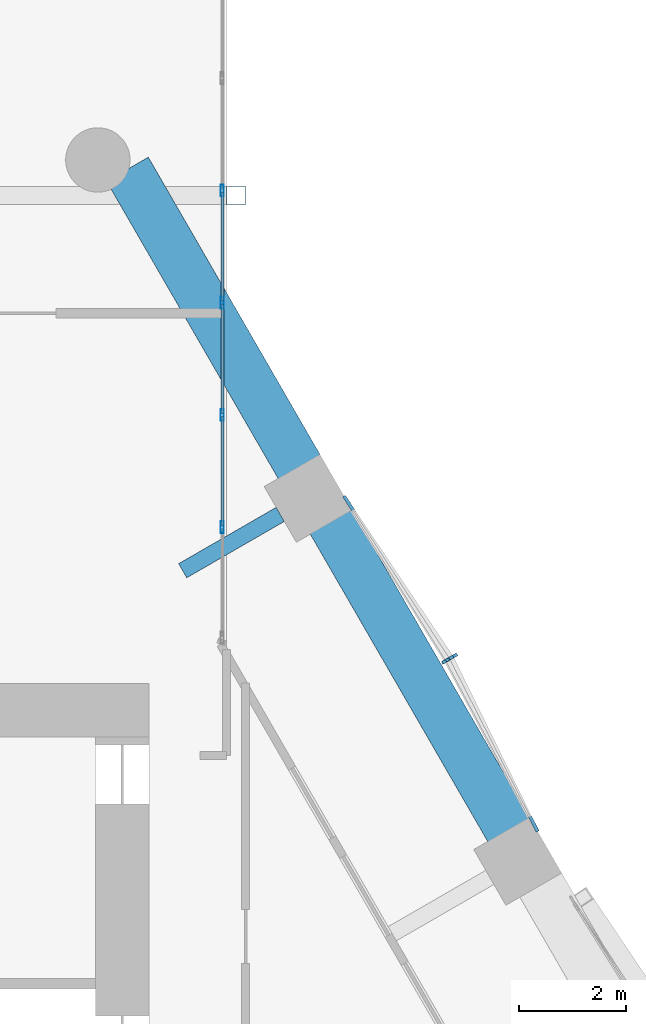
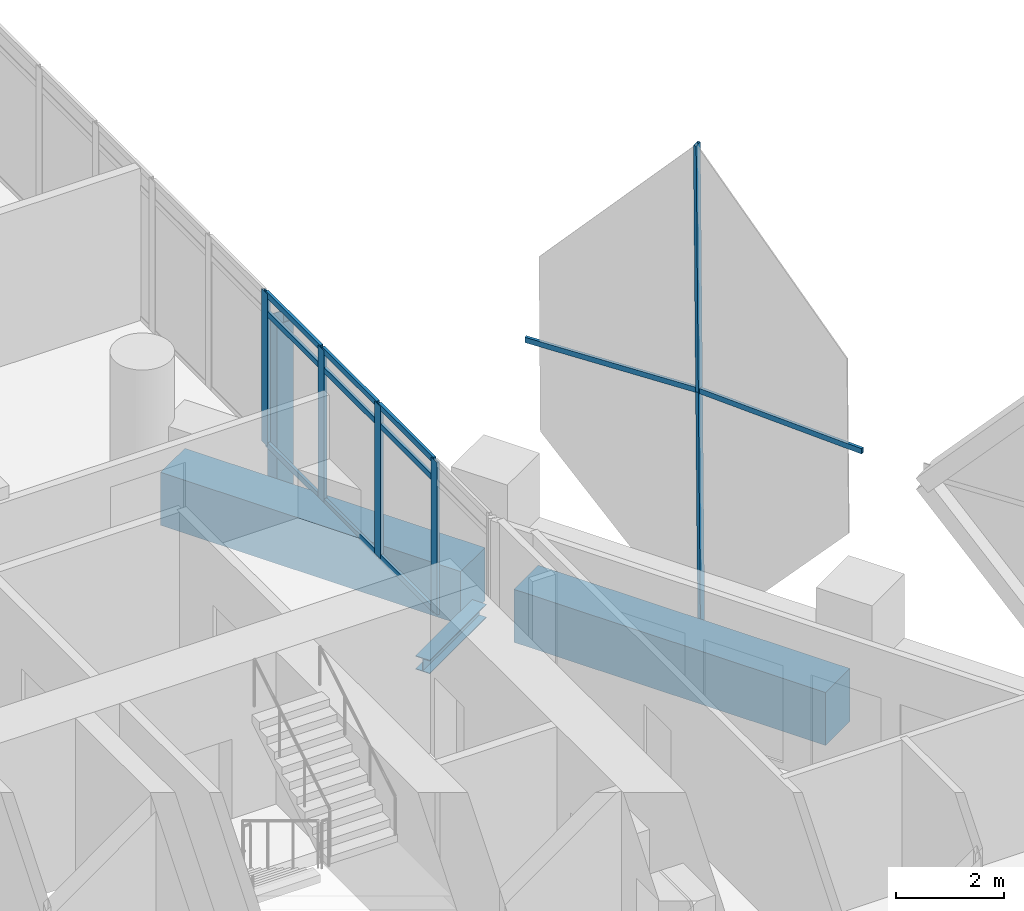
# One storey, part 24 of 38: 18 members, 3 beams, 3 elements without a shape of their own.
"""IFC4 building model written with IfcOpenShell, lengths in metres."""

import ifcopenshell
import ifcopenshell.guid

model = None  # the IFC model being written
_history = None  # IfcOwnerHistory: only IFC2X3 demands one
_inside = {}  # id of a spatial element -> (the spatial element, [elements in it])
_under = {}  # id of a project, library or spatial element -> (it, [spatial elements below it])
_declared = {}  # id of a project -> (the project, [libraries it declares])
_typed = {}  # id of a type object -> (the type object, [elements of that type])
_made_of = {}  # id of a material, layer set ... -> (it, [elements and type objects made of it])


def new_model(schema):
    """Start an empty IFC model of exactly this schema.

    Asked for "IFC4X3", IfcOpenShell would pick the latest addendum, in which some entities
    have other attributes; the version numbers below select the first issue.
    IFC2X3 requires an IfcOwnerHistory on every rooted entity: one is made here for all.
    """
    global model, _history
    if schema == "IFC4X3":
        model = ifcopenshell.file(schema_version=(4, 3, 0, 0))
    else:
        model = ifcopenshell.file(schema=schema)
    _inside.clear()
    _under.clear()
    _declared.clear()
    _typed.clear()
    _made_of.clear()
    _history = None
    if model.schema == "IFC2X3":
        org = make("IfcOrganization", Name="unknown")
        user = make(
            "IfcPersonAndOrganization",
            ThePerson=make("IfcPerson", FamilyName="unknown"),
            TheOrganization=org,
        )
        app = make(
            "IfcApplication",
            ApplicationDeveloper=org,
            Version="unknown",
            ApplicationFullName="unknown",
            ApplicationIdentifier="unknown",
        )
        _history = make(
            "IfcOwnerHistory",
            OwningUser=user,
            OwningApplication=app,
            ChangeAction="ADDED",
            CreationDate=0,
        )
    return model


def make(cls, **values):
    """One entity of the class cls with the attributes given. An attribute that is None is left unset."""
    return model.create_entity(
        cls, **{name: value for name, value in values.items() if value is not None}
    )


def rooted(cls, **values):
    """An entity with a GlobalId (a new one), such as an element, a storey or a relation."""
    return make(cls, GlobalId=ifcopenshell.guid.new(), OwnerHistory=_history, **values)


def si_unit(unit_type, name, prefix=None):
    """IfcSIUnit, for example si_unit("LENGTHUNIT", "METRE", prefix="MILLI")."""
    return make("IfcSIUnit", UnitType=unit_type, Prefix=prefix, Name=name)


def assignment(units):
    """IfcUnitAssignment: the units of a project."""
    return None if units is None else make("IfcUnitAssignment", Units=units)


def point(xyz):
    """IfcCartesianPoint."""
    return None if xyz is None else make("IfcCartesianPoint", Coordinates=xyz)


def direction(xyz):
    """IfcDirection."""
    return None if xyz is None else make("IfcDirection", DirectionRatios=xyz)


def frame(location, z_axis=None, x_axis=None):
    """IfcAxis2Placement3D, a coordinate frame: its origin and axes. An axis left out is left unset."""
    return make(
        "IfcAxis2Placement3D",
        Location=point(location),
        Axis=direction(z_axis),
        RefDirection=direction(x_axis),
    )


def frame_2d(location, x_axis=None):
    """IfcAxis2Placement2D, a coordinate frame in the plane: its origin and x axis."""
    return make(
        "IfcAxis2Placement2D", Location=point(location), RefDirection=direction(x_axis)
    )


def origin():
    """The frame at (0, 0, 0) with its axes left unset."""
    return frame((0.0, 0.0, 0.0))


def origin_2d():
    """The frame at (0, 0) in the plane with its x axis left unset."""
    return frame_2d((0.0, 0.0))


def place(relative_to, where):
    """IfcLocalPlacement: puts the frame where relative to a parent placement (None: the world)."""
    return make(
        "IfcLocalPlacement", PlacementRelTo=relative_to, RelativePlacement=where
    )


def context(
    kind, dimensions, precision=None, world=None, true_north=None, identifier=None
):
    """IfcGeometricRepresentationContext, for example the 3D "Model" context."""
    return make(
        "IfcGeometricRepresentationContext",
        ContextIdentifier=identifier,
        ContextType=kind,
        CoordinateSpaceDimension=dimensions,
        Precision=precision,
        WorldCoordinateSystem=world,
        TrueNorth=true_north,
    )


def subcontext(parent, identifier, kind, view, scale=None):
    """IfcGeometricRepresentationSubContext, for example "Body" below "Model"."""
    return make(
        "IfcGeometricRepresentationSubContext",
        ContextIdentifier=identifier,
        ContextType=kind,
        ParentContext=parent,
        TargetScale=scale,
        TargetView=view,
    )


def project(units=None, contexts=None):
    """IfcProject with its units and contexts."""
    return rooted(
        "IfcProject",
        Name="project",
        RepresentationContexts=contexts,
        UnitsInContext=assignment(units),
    )


def spatial(cls, under=None, at=None, **own):
    """A site, building, storey or space (cls), placed at a placement, below another one or the project."""
    s = rooted(cls, ObjectPlacement=at, **own)
    if under is not None:
        _under.setdefault(under.id(), (under, []))[1].append(s)
    return s


def profile(cls, at=None, kind="AREA", **sizes):
    """A parametric profile (cls). Its sizes go by their IFC names, for example OverallWidth=200.0."""
    return make(cls, ProfileType=kind, Position=at, **sizes)


def rectangle(**sizes):
    """IfcRectangleProfileDef."""
    return profile("IfcRectangleProfileDef", **sizes)


def hollow_rectangle(**sizes):
    """IfcRectangleHollowProfileDef."""
    return profile("IfcRectangleHollowProfileDef", **sizes)


def i_section(**sizes):
    """IfcIShapeProfileDef."""
    return profile("IfcIShapeProfileDef", **sizes)


def extrude(swept, where, along, depth):
    """IfcExtrudedAreaSolid: the profile swept, set in the frame where, extruded along a direction by depth."""
    return make(
        "IfcExtrudedAreaSolid",
        SweptArea=swept,
        Position=where,
        ExtrudedDirection=direction(along),
        Depth=depth,
    )


def shape(context_of_items, identifier, shape_type, items):
    """IfcShapeRepresentation: the items that make up one representation, for example the "Body"."""
    return make(
        "IfcShapeRepresentation",
        ContextOfItems=context_of_items,
        RepresentationIdentifier=identifier,
        RepresentationType=shape_type,
        Items=items,
    )


def material(Name=None, Category=None):
    """IfcMaterial."""
    return make("IfcMaterial", Name=Name, Category=Category)


def material_profile(
    of_material, cross_section, Name=None, Category=None, Priority=None
):
    """IfcMaterialProfile: a cross section and its material."""
    return make(
        "IfcMaterialProfile",
        Name=Name,
        Material=of_material,
        Profile=cross_section,
        Priority=Priority,
        Category=Category,
    )


def profile_set(profiles, Name=None, composite=None):
    """IfcMaterialProfileSet."""
    return make(
        "IfcMaterialProfileSet",
        Name=Name,
        MaterialProfiles=profiles,
        CompositeProfile=composite,
    )


def made_of(thing, what):
    """Note that an element or type object is made of a material, layer set ...; save() writes the relation."""
    if what is not None:
        _made_of.setdefault(what.id(), (what, []))[1].append(thing)
    return thing


def type_object(cls, material=None, **own):
    """A type object (cls), such as IfcWallType, which elements share."""
    return made_of(rooted(cls, **own), material)


def element(
    cls,
    number,
    at=None,
    inside=None,
    cuts=None,
    type_object=None,
    material=None,
    context=None,
    identifier="Body",
    shape_type=None,
    held_by="IfcProductDefinitionShape",
    body=None,
    shapes=None,
    **own,
):
    """One element of the class cls, such as IfcWall. Its Tag is "e" and its number.

    at: its placement. inside: the storey or other place that contains it. cuts: it is an
    opening in that element (IfcRelVoidsElement). A single representation is given by context,
    identifier, shape_type and body (its items); several are given by shapes. held_by: the class
    of the entity that holds the representations. save() writes the other relations.
    """
    e = rooted(cls, Tag="e%d" % number, ObjectPlacement=at, **own)
    if body is not None:
        shapes = [shape(context, identifier, shape_type, body)]
    if shapes is not None:
        e.Representation = make(held_by, Representations=shapes)
    if inside is not None:
        _inside.setdefault(inside.id(), (inside, []))[1].append(e)
    if cuts is not None:
        rooted(
            "IfcRelVoidsElement", RelatingBuildingElement=cuts, RelatedOpeningElement=e
        )
    if type_object is not None:
        _typed.setdefault(type_object.id(), (type_object, []))[1].append(e)
    return made_of(e, material)


def aggregate(whole, parts):
    """IfcRelAggregates: a whole, such as a stair, and the parts it consists of."""
    return rooted("IfcRelAggregates", RelatingObject=whole, RelatedObjects=parts)


def save(model, path):
    """Write the relations noted so far, then the file.

    IfcRelAggregates (storeys below a building ...), IfcRelContainedInSpatialStructure (elements
    in a storey), IfcRelDefinesByType, IfcRelAssociatesMaterial and IfcRelDeclares: one each for
    every whole, place, type object, material and project.
    """
    for whole, parts in _under.values():
        aggregate(whole, parts)
    for where, things in _inside.values():
        rooted(
            "IfcRelContainedInSpatialStructure",
            RelatedElements=things,
            RelatingStructure=where,
        )
    for kind, things in _typed.values():
        rooted("IfcRelDefinesByType", RelatedObjects=things, RelatingType=kind)
    for what, things in _made_of.values():
        rooted("IfcRelAssociatesMaterial", RelatedObjects=things, RelatingMaterial=what)
    for by, libraries in _declared.values():
        rooted("IfcRelDeclares", RelatingContext=by, RelatedDefinitions=libraries)
    model.write(path)


model = new_model("IFC4")

# Units and contexts
model_context = context("Model", 3, precision=1e-05, world=origin(), true_north=direction((0.0, 1.0)))
body_context = subcontext(model_context, "Body", "Model", "MODEL_VIEW")
ifc_project = project(units=[si_unit("LENGTHUNIT", "METRE"), si_unit("AREAUNIT", "SQUARE_METRE"), si_unit("VOLUMEUNIT", "CUBIC_METRE"), si_unit("PLANEANGLEUNIT", "RADIAN"), si_unit("MASSUNIT", "GRAM", prefix="KILO")], contexts=[model_context])

# Site, building, storey
site_placement = place(None, origin())
site = spatial("IfcSite", under=ifc_project, at=site_placement, CompositionType="ELEMENT")
building_placement = place(site_placement, origin())
building = spatial("IfcBuilding", under=site, at=building_placement, Name="Ostrander Bayou Hotel Tower", CompositionType="ELEMENT")
storey_placement = place(building_placement, frame((0.0, 0.0, 96.75)))
storey = spatial("IfcBuildingStorey", under=building, at=storey_placement, Name="L24", CompositionType="ELEMENT", Elevation=96.75)

# Curtain wall, members
ifc_material_1 = material(Name="Aluminium and clear glass", Category="aluminium")
curtain_wall_type_1 = type_object("IfcCurtainWallType", Name="CW-BAR glazed wall", PredefinedType="NOTDEFINED", material=ifc_material_1)
curtain_wall_1_placement = place(storey_placement, origin())
curtain_wall_1 = element("IfcCurtainWall", 1, at=curtain_wall_1_placement, inside=storey, type_object=curtain_wall_type_1, Name="CW-BAR L24:SB2N:W", PredefinedType="NOTDEFINED")
ifc_material_2 = material(Name="Aluminium", Category="aluminium")
ifc_material_profile_1 = material_profile(ifc_material_2, hollow_rectangle(XDim=0.06005859375, YDim=0.219970703125, WallThickness=0.00390625, at=origin_2d()))
ifc_profile_set_1 = profile_set([ifc_material_profile_1], Name="Aluminium")
member_type_1 = type_object("IfcMemberType", Name="CW-BR mullion 60 x 220 mm", PredefinedType="MULLION", material=ifc_profile_set_1)
member_1_placement = place(storey_placement, frame((13.3671875, 12.612548828125, 0.0), z_axis=(0.0, 0.0, 1.0), x_axis=(-1.0, 0.0, 0.0)))
member_1 = element("IfcMember", 2, at=member_1_placement, type_object=member_type_1, Name="CW-BAR mullion 2", PredefinedType="MULLION", context=body_context, shape_type="SweptSolid", body=[
    extrude(hollow_rectangle(XDim=0.06005859375, YDim=0.219970703125, WallThickness=0.00390625, at=origin_2d()), origin(), (0.0, 0.0, 1.0), 3.449951171875),
])
member_2_placement = place(storey_placement, frame((13.3671875, 14.705078125, 0.0), z_axis=(0.0, 0.0, 1.0), x_axis=(-1.0, 0.0, 0.0)))
member_2 = element("IfcMember", 3, at=member_2_placement, type_object=member_type_1, Name="CW-BAR mullion 3", PredefinedType="MULLION", context=body_context, shape_type="SweptSolid", body=[
    extrude(hollow_rectangle(XDim=0.06005859375, YDim=0.219970703125, WallThickness=0.00390625, at=origin_2d()), origin(), (0.0, 0.0, 1.0), 3.449951171875),
])
member_3_placement = place(storey_placement, frame((13.3671875, 16.797607421875, 0.0), z_axis=(0.0, 0.0, 1.0), x_axis=(-1.0, 0.0, 0.0)))
member_3 = element("IfcMember", 4, at=member_3_placement, type_object=member_type_1, Name="CW-BAR mullion 4", PredefinedType="MULLION", context=body_context, shape_type="SweptSolid", body=[
    extrude(hollow_rectangle(XDim=0.06005859375, YDim=0.219970703125, WallThickness=0.00390625, at=origin_2d()), origin(), (0.0, 0.0, 1.0), 3.449951171875),
])
member_4_placement = place(storey_placement, frame((13.3671875, 18.89013671875, 0.0), z_axis=(0.0, 0.0, 1.0), x_axis=(-1.0, 0.0, 0.0)))
member_4 = element("IfcMember", 5, at=member_4_placement, type_object=member_type_1, Name="CW-BAR mullion 5", PredefinedType="MULLION", context=body_context, shape_type="SweptSolid", body=[
    extrude(hollow_rectangle(XDim=0.06005859375, YDim=0.219970703125, WallThickness=0.00390625, at=origin_2d()), origin(), (0.0, 0.0, 1.0), 3.449951171875),
])
ifc_material_3 = material(Name="Aluminium", Category="aluminium")
ifc_material_profile_2 = material_profile(ifc_material_3, hollow_rectangle(XDim=0.06005859375, YDim=0.1298828125, WallThickness=0.00390625, at=origin_2d()))
ifc_profile_set_2 = profile_set([ifc_material_profile_2], Name="Aluminium")
member_type_2 = type_object("IfcMemberType", Name="CW-BR transom 60 x 130 mm", PredefinedType="USERDEFINED", material=ifc_profile_set_2)
member_5_placement = place(storey_placement, frame((13.3671875, 12.642578125, 0.030029296875), z_axis=(0.0, 1.0, 0.0), x_axis=(-1.0, 0.0, 0.0)))
member_5 = element("IfcMember", 6, at=member_5_placement, type_object=member_type_2, Name="CW-BAR transom 2.1", ObjectType="TRANSOM", PredefinedType="USERDEFINED", context=body_context, shape_type="SweptSolid", body=[
    extrude(hollow_rectangle(XDim=0.06005859375, YDim=0.1298828125, WallThickness=0.00390625, at=origin_2d()), origin(), (0.0, 0.0, 1.0), 2.032470703125),
])
member_6_placement = place(storey_placement, frame((13.3671875, 12.642578125, 3.0), z_axis=(0.0, 1.0, 0.0), x_axis=(-1.0, 0.0, 0.0)))
member_6 = element("IfcMember", 7, at=member_6_placement, type_object=member_type_2, Name="CW-BAR transom 2.2", ObjectType="TRANSOM", PredefinedType="USERDEFINED", context=body_context, shape_type="SweptSolid", body=[
    extrude(hollow_rectangle(XDim=0.06005859375, YDim=0.1298828125, WallThickness=0.00390625, at=origin_2d()), origin(), (0.0, 0.0, 1.0), 2.032470703125),
])
member_7_placement = place(storey_placement, frame((13.3671875, 12.642578125, 3.419921875), z_axis=(0.0, 1.0, 0.0), x_axis=(-1.0, 0.0, 0.0)))
member_7 = element("IfcMember", 8, at=member_7_placement, type_object=member_type_2, Name="CW-BAR transom 2.3", ObjectType="TRANSOM", PredefinedType="USERDEFINED", context=body_context, shape_type="SweptSolid", body=[
    extrude(hollow_rectangle(XDim=0.06005859375, YDim=0.1298828125, WallThickness=0.00390625, at=origin_2d()), origin(), (0.0, 0.0, 1.0), 2.032470703125),
])
member_8_placement = place(storey_placement, frame((13.3671875, 14.735107421875, 0.030029296875), z_axis=(0.0, 1.0, 0.0), x_axis=(-1.0, 0.0, 0.0)))
member_8 = element("IfcMember", 9, at=member_8_placement, type_object=member_type_2, Name="CW-BAR transom 3.1", ObjectType="TRANSOM", PredefinedType="USERDEFINED", context=body_context, shape_type="SweptSolid", body=[
    extrude(hollow_rectangle(XDim=0.06005859375, YDim=0.1298828125, WallThickness=0.00390625, at=origin_2d()), origin(), (0.0, 0.0, 1.0), 2.032470703125),
])
member_9_placement = place(storey_placement, frame((13.3671875, 14.735107421875, 3.0), z_axis=(0.0, 1.0, 0.0), x_axis=(-1.0, 0.0, 0.0)))
member_9 = element("IfcMember", 10, at=member_9_placement, type_object=member_type_2, Name="CW-BAR transom 3.2", ObjectType="TRANSOM", PredefinedType="USERDEFINED", context=body_context, shape_type="SweptSolid", body=[
    extrude(hollow_rectangle(XDim=0.06005859375, YDim=0.1298828125, WallThickness=0.00390625, at=origin_2d()), origin(), (0.0, 0.0, 1.0), 2.032470703125),
])
member_10_placement = place(storey_placement, frame((13.3671875, 14.735107421875, 3.419921875), z_axis=(0.0, 1.0, 0.0), x_axis=(-1.0, 0.0, 0.0)))
member_10 = element("IfcMember", 11, at=member_10_placement, type_object=member_type_2, Name="CW-BAR transom 3.3", ObjectType="TRANSOM", PredefinedType="USERDEFINED", context=body_context, shape_type="SweptSolid", body=[
    extrude(hollow_rectangle(XDim=0.06005859375, YDim=0.1298828125, WallThickness=0.00390625, at=origin_2d()), origin(), (0.0, 0.0, 1.0), 2.032470703125),
])
member_11_placement = place(storey_placement, frame((13.3671875, 16.82763671875, 0.030029296875), z_axis=(0.0, 1.0, 0.0), x_axis=(-1.0, 0.0, 0.0)))
member_11 = element("IfcMember", 12, at=member_11_placement, type_object=member_type_2, Name="CW-BAR transom 4.1", ObjectType="TRANSOM", PredefinedType="USERDEFINED", context=body_context, shape_type="SweptSolid", body=[
    extrude(hollow_rectangle(XDim=0.06005859375, YDim=0.1298828125, WallThickness=0.00390625, at=origin_2d()), origin(), (0.0, 0.0, 1.0), 2.032470703125),
])
member_12_placement = place(storey_placement, frame((13.3671875, 16.82763671875, 3.0), z_axis=(0.0, 1.0, 0.0), x_axis=(-1.0, 0.0, 0.0)))
member_12 = element("IfcMember", 13, at=member_12_placement, type_object=member_type_2, Name="CW-BAR transom 4.2", ObjectType="TRANSOM", PredefinedType="USERDEFINED", context=body_context, shape_type="SweptSolid", body=[
    extrude(hollow_rectangle(XDim=0.06005859375, YDim=0.1298828125, WallThickness=0.00390625, at=origin_2d()), origin(), (0.0, 0.0, 1.0), 2.032470703125),
])
member_13_placement = place(storey_placement, frame((13.3671875, 16.82763671875, 3.419921875), z_axis=(0.0, 1.0, 0.0), x_axis=(-1.0, 0.0, 0.0)))
member_13 = element("IfcMember", 14, at=member_13_placement, type_object=member_type_2, Name="CW-BAR transom 4.3", ObjectType="TRANSOM", PredefinedType="USERDEFINED", context=body_context, shape_type="SweptSolid", body=[
    extrude(hollow_rectangle(XDim=0.06005859375, YDim=0.1298828125, WallThickness=0.00390625, at=origin_2d()), origin(), (0.0, 0.0, 1.0), 2.032470703125),
])
aggregate(curtain_wall_1, [member_1, member_2, member_3, member_4, member_5, member_6, member_7, member_8, member_9, member_10, member_11, member_12, member_13])

ifc_material_4 = material(Name="Aluminium and clear glass", Category="aluminium")
curtain_wall_type_2 = type_object("IfcCurtainWallType", Name="CW-LAT lattice glazing", PredefinedType="NOTDEFINED", material=ifc_material_4)
curtain_wall_2_placement = place(storey_placement, origin())
curtain_wall_2 = element("IfcCurtainWall", 15, at=curtain_wall_2_placement, inside=storey, type_object=curtain_wall_type_2, Name="CW-LAT L24 NE 1", PredefinedType="NOTDEFINED")
ifc_material_5 = material(Name="Aluminium", Category="aluminium")
ifc_material_profile_3 = material_profile(ifc_material_5, hollow_rectangle(XDim=0.06005859375, YDim=0.159912109375, WallThickness=0.00390625, at=origin_2d()))
ifc_profile_set_3 = profile_set([ifc_material_profile_3], Name="Aluminium")
member_type_3 = type_object("IfcMemberType", Name="CW-LA mullion 60 x 160 mm", PredefinedType="MULLION", material=ifc_profile_set_3)
member_14_placement = place(storey_placement, frame((17.67236328125, 10.203125, -0.60009765625), z_axis=(-0.012585478078, -0.007247499445, 0.999894534185), x_axis=(0.499032451057, -0.866583298242, 0.0)))
member_14 = element("IfcMember", 16, at=member_14_placement, type_object=member_type_3, Name="CW-LAT mullion 4", PredefinedType="MULLION", context=body_context, shape_type="SweptSolid", body=[
    extrude(hollow_rectangle(XDim=0.06005859375, YDim=0.159912109375, WallThickness=0.00390625, at=origin_2d()), origin(), (0.0, 0.0, 1.0), 5.62548828125),
])
member_15_placement = place(storey_placement, frame((17.6015625, 10.162353515625, 5.02490234375), z_axis=(-0.012585474108, -0.007290895345, 0.999894218748), x_axis=(0.501271486133, -0.865290065348, 0.0)))
member_15 = element("IfcMember", 17, at=member_15_placement, type_object=member_type_3, Name="CW-LAT mullion 5", PredefinedType="MULLION", context=body_context, shape_type="SweptSolid", body=[
    extrude(hollow_rectangle(XDim=0.06005859375, YDim=0.159912109375, WallThickness=0.00390625, at=origin_2d()), origin(), (0.0, 0.0, 1.0), 5.62548828125),
])
aggregate(curtain_wall_2, [member_14, member_15])

curtain_wall_3_placement = place(storey_placement, origin())
curtain_wall_3 = element("IfcCurtainWall", 18, at=curtain_wall_3_placement, inside=storey, type_object=curtain_wall_type_2, Name="CW-LAT L24 NE 2", PredefinedType="NOTDEFINED")
ifc_material_6 = material(Name="Aluminium", Category="aluminium")
ifc_material_profile_4 = material_profile(ifc_material_6, hollow_rectangle(XDim=0.06005859375, YDim=0.1201171875, WallThickness=0.00390625, at=origin_2d()))
ifc_profile_set_4 = profile_set([ifc_material_profile_4], Name="Aluminium")
member_type_4 = type_object("IfcMemberType", Name="CW-LA transom 60 x 120 mm", PredefinedType="USERDEFINED", material=ifc_profile_set_4)
member_16_placement = place(storey_placement, frame((17.6015625, 10.162353515625, 5.02490234375), z_axis=(0.45422635194, -0.890886312165, 0.0), x_axis=(0.890886312165, 0.45422635194, 0.0)))
member_16 = element("IfcMember", 19, at=member_16_placement, type_object=member_type_4, Name="CW-LAT transom 6", ObjectType="TRANSOM", PredefinedType="USERDEFINED", context=body_context, shape_type="SweptSolid", body=[
    extrude(hollow_rectangle(XDim=0.06005859375, YDim=0.1201171875, WallThickness=0.00390625, at=origin_2d()), origin(), (0.0, 0.0, 1.0), 3.613525390625),
])
member_17_placement = place(storey_placement, frame((17.6015625, 10.162353515625, 5.02490234375), z_axis=(-0.54442763221, 0.838807816658, 0.0), x_axis=(-0.838807816658, -0.54442763221, 0.0)))
member_17 = element("IfcMember", 20, at=member_17_placement, type_object=member_type_4, Name="CW-LAT transom 7", ObjectType="TRANSOM", PredefinedType="USERDEFINED", context=body_context, shape_type="SweptSolid", body=[
    extrude(hollow_rectangle(XDim=0.06005859375, YDim=0.1201171875, WallThickness=0.00390625, at=origin_2d()), origin(), (0.0, 0.0, 1.0), 3.612548828125),
])
aggregate(curtain_wall_3, [member_16, member_17])

# Beams
ifc_material_7 = material(Name="Steel ASTM A992", Category="steel")
ifc_material_profile_5 = material_profile(ifc_material_7, i_section(OverallWidth=0.3046875, OverallDepth=0.307861328125, WebThickness=0.010009765625, FlangeThickness=0.015380859375, at=origin_2d()))
ifc_profile_set_5 = profile_set([ifc_material_profile_5], Name="Steel ASTM A992")
beam_type_1 = type_object("IfcBeamType", Name="LB1 loggia bracket W12x65", PredefinedType="BEAM", material=ifc_profile_set_5)
beam_1_placement = place(storey_placement, frame((14.446044921875, 12.8515625, -0.453857421875), z_axis=(-0.866038466041, -0.499977374825, 0.0), x_axis=(0.499977374825, -0.866038466041, 0.0)))
element("IfcBeam", 21, at=beam_1_placement, inside=storey, type_object=beam_type_1, Name="LB1 L24 NE2", PredefinedType="BEAM", context=body_context, shape_type="SweptSolid", body=[
    extrude(i_section(OverallWidth=0.3046875, OverallDepth=0.307861328125, WebThickness=0.010009765625, FlangeThickness=0.015380859375, at=origin_2d()), origin(), (0.0, 0.0, 1.0), 2.10009765625),
])
ifc_material_8 = material(Name="Concrete f'c 70 MPa", Category="concrete")
ifc_material_profile_6 = material_profile(ifc_material_8, rectangle(XDim=0.89990234375, YDim=1.199951171875, at=origin_2d()))
ifc_profile_set_6 = profile_set([ifc_material_profile_6], Name="Concrete f'c 70 MPa")
beam_type_2 = type_object("IfcBeamType", Name="SP2 spandrel beam 900 x 1200 mm f'c 70 MPa", PredefinedType="SPANDREL", material=ifc_profile_set_6)
beam_2_placement = place(storey_placement, frame((18.71728515625, 6.95361328125, -0.60009765625), z_axis=(-0.499999023957, 0.866025967302, 0.0), x_axis=(-0.866025967302, -0.499999023957, 0.0)))
element("IfcBeam", 22, at=beam_2_placement, inside=storey, type_object=beam_type_2, Name="SP2 L24 NE-2", PredefinedType="SPANDREL", context=body_context, shape_type="SweptSolid", body=[
    extrude(rectangle(XDim=0.89990234375, YDim=1.199951171875, at=origin_2d()), origin(), (0.0, 0.0, 1.0), 6.67333984375),
])
beam_3_placement = place(storey_placement, frame((14.810546875, 13.72021484375, -0.60009765625), z_axis=(-0.50002823779, 0.866009100075, 0.0), x_axis=(-0.866009100075, -0.50002823779, 0.0)))
element("IfcBeam", 23, at=beam_3_placement, inside=storey, type_object=beam_type_2, Name="SP2 L24 NE-3", PredefinedType="SPANDREL", context=body_context, shape_type="SweptSolid", body=[
    extrude(rectangle(XDim=0.89990234375, YDim=1.199951171875, at=origin_2d()), origin(), (0.0, 0.0, 1.0), 6.427490234375),
])

# Member
ifc_material_9 = material(Name="Steel ASTM A500 Gr C", Category="steel")
ifc_material_profile_7 = material_profile(ifc_material_9, hollow_rectangle(XDim=0.355712890625, YDim=0.355712890625, WallThickness=0.01171875, at=origin_2d()))
ifc_profile_set_7 = profile_set([ifc_material_profile_7], Name="Steel ASTM A500 Gr C")
member_type_5 = type_object("IfcMemberType", Name="TH2 bar hanger HSS14x14x1/2", PredefinedType="POST", material=ifc_profile_set_7)
member_18_placement = place(storey_placement, frame((13.6201171875, 18.79638671875, -0.921875), z_axis=(0.0, 0.0, 1.0), x_axis=(1.0, 0.0, 0.0)))
element("IfcMember", 24, at=member_18_placement, inside=storey, type_object=member_type_5, Name="TH2 SB2WB H4-2", PredefinedType="POST", context=body_context, shape_type="SweptSolid", body=[
    extrude(hollow_rectangle(XDim=0.355712890625, YDim=0.355712890625, WallThickness=0.01171875, at=origin_2d()), origin(), (0.0, 0.0, 1.0), 3.75),
])

save(model, "model.ifc")
